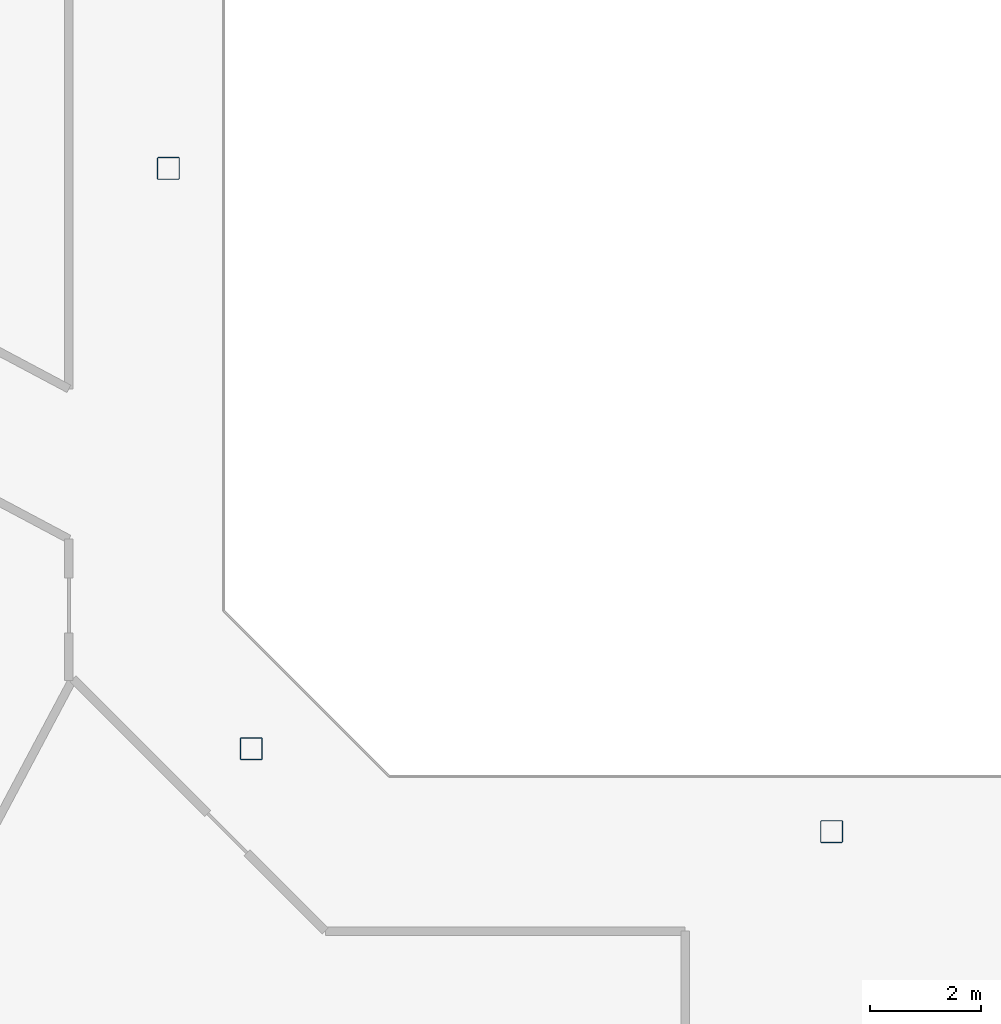
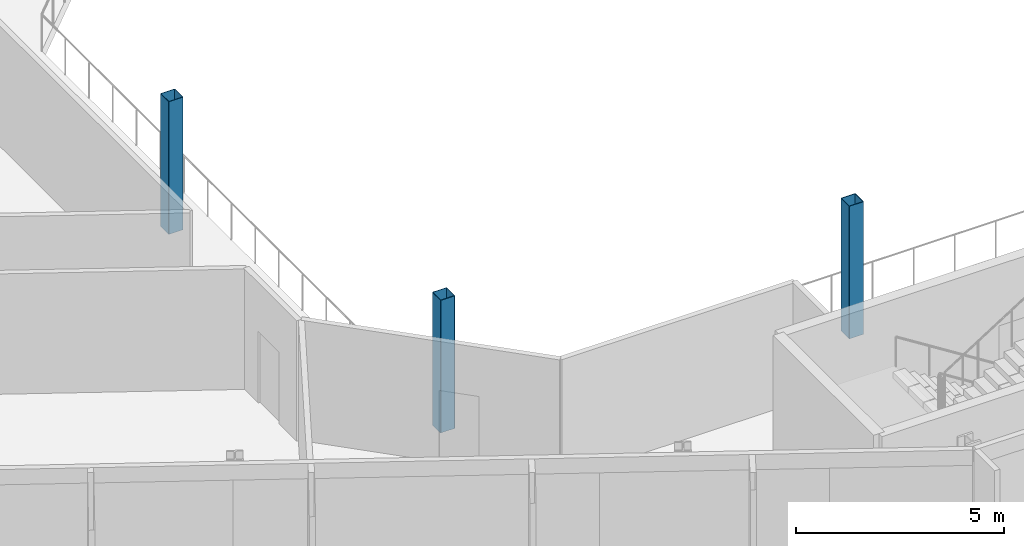
# One storey, part 2 of 26: 3 columns.
"""IFC4 building model written with IfcOpenShell, lengths in metres."""

import ifcopenshell
import ifcopenshell.guid

model = None  # the IFC model being written
_history = None  # IfcOwnerHistory: only IFC2X3 demands one
_inside = {}  # id of a spatial element -> (the spatial element, [elements in it])
_under = {}  # id of a project, library or spatial element -> (it, [spatial elements below it])
_declared = {}  # id of a project -> (the project, [libraries it declares])
_typed = {}  # id of a type object -> (the type object, [elements of that type])
_made_of = {}  # id of a material, layer set ... -> (it, [elements and type objects made of it])


def new_model(schema):
    """Start an empty IFC model of exactly this schema.

    Asked for "IFC4X3", IfcOpenShell would pick the latest addendum, in which some entities
    have other attributes; the version numbers below select the first issue.
    IFC2X3 requires an IfcOwnerHistory on every rooted entity: one is made here for all.
    """
    global model, _history
    if schema == "IFC4X3":
        model = ifcopenshell.file(schema_version=(4, 3, 0, 0))
    else:
        model = ifcopenshell.file(schema=schema)
    _inside.clear()
    _under.clear()
    _declared.clear()
    _typed.clear()
    _made_of.clear()
    _history = None
    if model.schema == "IFC2X3":
        org = make("IfcOrganization", Name="unknown")
        user = make(
            "IfcPersonAndOrganization",
            ThePerson=make("IfcPerson", FamilyName="unknown"),
            TheOrganization=org,
        )
        app = make(
            "IfcApplication",
            ApplicationDeveloper=org,
            Version="unknown",
            ApplicationFullName="unknown",
            ApplicationIdentifier="unknown",
        )
        _history = make(
            "IfcOwnerHistory",
            OwningUser=user,
            OwningApplication=app,
            ChangeAction="ADDED",
            CreationDate=0,
        )
    return model


def make(cls, **values):
    """One entity of the class cls with the attributes given. An attribute that is None is left unset."""
    return model.create_entity(
        cls, **{name: value for name, value in values.items() if value is not None}
    )


def rooted(cls, **values):
    """An entity with a GlobalId (a new one), such as an element, a storey or a relation."""
    return make(cls, GlobalId=ifcopenshell.guid.new(), OwnerHistory=_history, **values)


def si_unit(unit_type, name, prefix=None):
    """IfcSIUnit, for example si_unit("LENGTHUNIT", "METRE", prefix="MILLI")."""
    return make("IfcSIUnit", UnitType=unit_type, Prefix=prefix, Name=name)


def assignment(units):
    """IfcUnitAssignment: the units of a project."""
    return None if units is None else make("IfcUnitAssignment", Units=units)


def point(xyz):
    """IfcCartesianPoint."""
    return None if xyz is None else make("IfcCartesianPoint", Coordinates=xyz)


def direction(xyz):
    """IfcDirection."""
    return None if xyz is None else make("IfcDirection", DirectionRatios=xyz)


def frame(location, z_axis=None, x_axis=None):
    """IfcAxis2Placement3D, a coordinate frame: its origin and axes. An axis left out is left unset."""
    return make(
        "IfcAxis2Placement3D",
        Location=point(location),
        Axis=direction(z_axis),
        RefDirection=direction(x_axis),
    )


def frame_2d(location, x_axis=None):
    """IfcAxis2Placement2D, a coordinate frame in the plane: its origin and x axis."""
    return make(
        "IfcAxis2Placement2D", Location=point(location), RefDirection=direction(x_axis)
    )


def origin():
    """The frame at (0, 0, 0) with its axes left unset."""
    return frame((0.0, 0.0, 0.0))


def origin_2d():
    """The frame at (0, 0) in the plane with its x axis left unset."""
    return frame_2d((0.0, 0.0))


def place(relative_to, where):
    """IfcLocalPlacement: puts the frame where relative to a parent placement (None: the world)."""
    return make(
        "IfcLocalPlacement", PlacementRelTo=relative_to, RelativePlacement=where
    )


def context(
    kind, dimensions, precision=None, world=None, true_north=None, identifier=None
):
    """IfcGeometricRepresentationContext, for example the 3D "Model" context."""
    return make(
        "IfcGeometricRepresentationContext",
        ContextIdentifier=identifier,
        ContextType=kind,
        CoordinateSpaceDimension=dimensions,
        Precision=precision,
        WorldCoordinateSystem=world,
        TrueNorth=true_north,
    )


def subcontext(parent, identifier, kind, view, scale=None):
    """IfcGeometricRepresentationSubContext, for example "Body" below "Model"."""
    return make(
        "IfcGeometricRepresentationSubContext",
        ContextIdentifier=identifier,
        ContextType=kind,
        ParentContext=parent,
        TargetScale=scale,
        TargetView=view,
    )


def project(units=None, contexts=None):
    """IfcProject with its units and contexts."""
    return rooted(
        "IfcProject",
        Name="project",
        RepresentationContexts=contexts,
        UnitsInContext=assignment(units),
    )


def spatial(cls, under=None, at=None, **own):
    """A site, building, storey or space (cls), placed at a placement, below another one or the project."""
    s = rooted(cls, ObjectPlacement=at, **own)
    if under is not None:
        _under.setdefault(under.id(), (under, []))[1].append(s)
    return s


def profile(cls, at=None, kind="AREA", **sizes):
    """A parametric profile (cls). Its sizes go by their IFC names, for example OverallWidth=200.0."""
    return make(cls, ProfileType=kind, Position=at, **sizes)


def hollow_rectangle(**sizes):
    """IfcRectangleHollowProfileDef."""
    return profile("IfcRectangleHollowProfileDef", **sizes)


def extrude(swept, where, along, depth):
    """IfcExtrudedAreaSolid: the profile swept, set in the frame where, extruded along a direction by depth."""
    return make(
        "IfcExtrudedAreaSolid",
        SweptArea=swept,
        Position=where,
        ExtrudedDirection=direction(along),
        Depth=depth,
    )


def shape(context_of_items, identifier, shape_type, items):
    """IfcShapeRepresentation: the items that make up one representation, for example the "Body"."""
    return make(
        "IfcShapeRepresentation",
        ContextOfItems=context_of_items,
        RepresentationIdentifier=identifier,
        RepresentationType=shape_type,
        Items=items,
    )


def material(Name=None, Category=None):
    """IfcMaterial."""
    return make("IfcMaterial", Name=Name, Category=Category)


def material_profile(
    of_material, cross_section, Name=None, Category=None, Priority=None
):
    """IfcMaterialProfile: a cross section and its material."""
    return make(
        "IfcMaterialProfile",
        Name=Name,
        Material=of_material,
        Profile=cross_section,
        Priority=Priority,
        Category=Category,
    )


def profile_set(profiles, Name=None, composite=None):
    """IfcMaterialProfileSet."""
    return make(
        "IfcMaterialProfileSet",
        Name=Name,
        MaterialProfiles=profiles,
        CompositeProfile=composite,
    )


def made_of(thing, what):
    """Note that an element or type object is made of a material, layer set ...; save() writes the relation."""
    if what is not None:
        _made_of.setdefault(what.id(), (what, []))[1].append(thing)
    return thing


def type_object(cls, material=None, **own):
    """A type object (cls), such as IfcWallType, which elements share."""
    return made_of(rooted(cls, **own), material)


def element(
    cls,
    number,
    at=None,
    inside=None,
    cuts=None,
    type_object=None,
    material=None,
    context=None,
    identifier="Body",
    shape_type=None,
    held_by="IfcProductDefinitionShape",
    body=None,
    shapes=None,
    **own,
):
    """One element of the class cls, such as IfcWall. Its Tag is "e" and its number.

    at: its placement. inside: the storey or other place that contains it. cuts: it is an
    opening in that element (IfcRelVoidsElement). A single representation is given by context,
    identifier, shape_type and body (its items); several are given by shapes. held_by: the class
    of the entity that holds the representations. save() writes the other relations.
    """
    e = rooted(cls, Tag="e%d" % number, ObjectPlacement=at, **own)
    if body is not None:
        shapes = [shape(context, identifier, shape_type, body)]
    if shapes is not None:
        e.Representation = make(held_by, Representations=shapes)
    if inside is not None:
        _inside.setdefault(inside.id(), (inside, []))[1].append(e)
    if cuts is not None:
        rooted(
            "IfcRelVoidsElement", RelatingBuildingElement=cuts, RelatedOpeningElement=e
        )
    if type_object is not None:
        _typed.setdefault(type_object.id(), (type_object, []))[1].append(e)
    return made_of(e, material)


def aggregate(whole, parts):
    """IfcRelAggregates: a whole, such as a stair, and the parts it consists of."""
    return rooted("IfcRelAggregates", RelatingObject=whole, RelatedObjects=parts)


def save(model, path):
    """Write the relations noted so far, then the file.

    IfcRelAggregates (storeys below a building ...), IfcRelContainedInSpatialStructure (elements
    in a storey), IfcRelDefinesByType, IfcRelAssociatesMaterial and IfcRelDeclares: one each for
    every whole, place, type object, material and project.
    """
    for whole, parts in _under.values():
        aggregate(whole, parts)
    for where, things in _inside.values():
        rooted(
            "IfcRelContainedInSpatialStructure",
            RelatedElements=things,
            RelatingStructure=where,
        )
    for kind, things in _typed.values():
        rooted("IfcRelDefinesByType", RelatedObjects=things, RelatingType=kind)
    for what, things in _made_of.values():
        rooted("IfcRelAssociatesMaterial", RelatedObjects=things, RelatingMaterial=what)
    for by, libraries in _declared.values():
        rooted("IfcRelDeclares", RelatingContext=by, RelatedDefinitions=libraries)
    model.write(path)


model = new_model("IFC4")

# Units and contexts
model_context = context("Model", 3, precision=1e-05, world=origin(), true_north=direction((0.0, 1.0)))
body_context = subcontext(model_context, "Body", "Model", "MODEL_VIEW")
ifc_project = project(units=[si_unit("LENGTHUNIT", "METRE"), si_unit("AREAUNIT", "SQUARE_METRE"), si_unit("VOLUMEUNIT", "CUBIC_METRE"), si_unit("PLANEANGLEUNIT", "RADIAN"), si_unit("MASSUNIT", "GRAM", prefix="KILO")], contexts=[model_context])

# Site, building, storey
site_placement = place(None, origin())
site = spatial("IfcSite", under=ifc_project, at=site_placement, CompositionType="ELEMENT")
building_placement = place(site_placement, origin())
building = spatial("IfcBuilding", under=site, at=building_placement, Name="Cormorant Relay Tower", CompositionType="ELEMENT")
storey_placement = place(building_placement, frame((0.0, 0.0, 197.39990234375)))
storey = spatial("IfcBuildingStorey", under=building, at=storey_placement, Name="L42", CompositionType="ELEMENT", Elevation=197.39990234375)

# Columns
ifc_material = material(Name="Steel ASTM A500 Grade C (Fy 345 MPa)", Category="steel")
ifc_material_profile = material_profile(ifc_material, hollow_rectangle(XDim=0.406494140625, YDim=0.406494140625, WallThickness=0.0146484375, InnerFilletRadius=0.00732421875, OuterFilletRadius=0.022216796875, at=origin_2d()), Name="HSS406x406x15")
ifc_profile_set = profile_set([ifc_material_profile], Name="Steel ASTM A500 Grade C (Fy 345 MPa)")
column_type = type_object("IfcColumnType", Name="Column HSS406x406x15", PredefinedType="COLUMN", material=ifc_profile_set)
for number, where, z_axis, x_axis, name in (
    (1, (0.0, -12.0, 0.0), (0.0, 0.0, 1.0), (1.0, 0.0, 0.0), "Column L42-007"),
    (2, (-10.5, -10.5, 0.0), (0.0, 0.0, 1.0), (1.0, 0.0, 0.0), "Column L42-009"),
    (3, (-12.0, 0.0, 0.0), (0.0, 0.0, 1.0), (1.0, 0.0, 0.0), "Column L42-015"),
):
    element("IfcColumn", number, at=place(storey_placement, frame(where, z_axis=z_axis, x_axis=x_axis)), inside=storey, type_object=column_type, Name=name, PredefinedType="COLUMN", context=body_context, shape_type="SweptSolid", body=[
        extrude(hollow_rectangle(XDim=0.406494140625, YDim=0.406494140625, WallThickness=0.0146484375, InnerFilletRadius=0.00732421875, OuterFilletRadius=0.022216796875, at=origin_2d()), origin(), (0.0, 0.0, 1.0), 3.900146484375),
    ])

save(model, "model.ifc")
